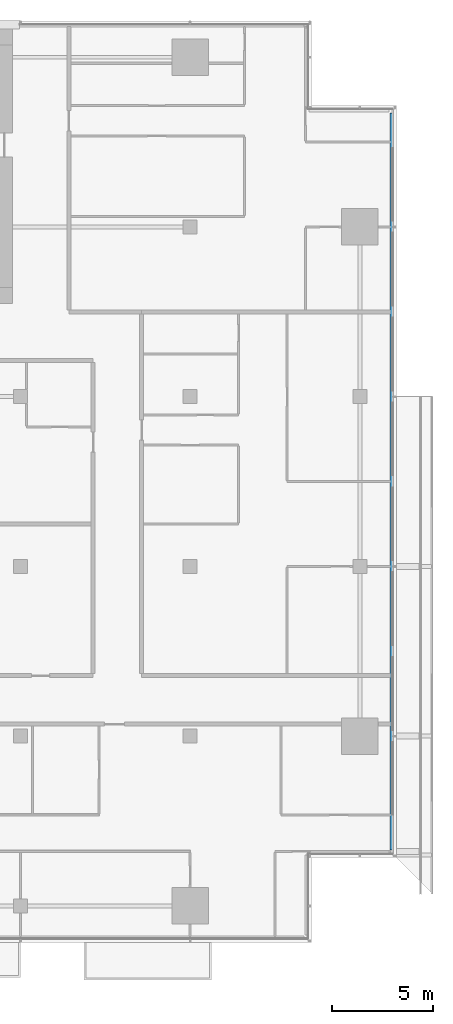
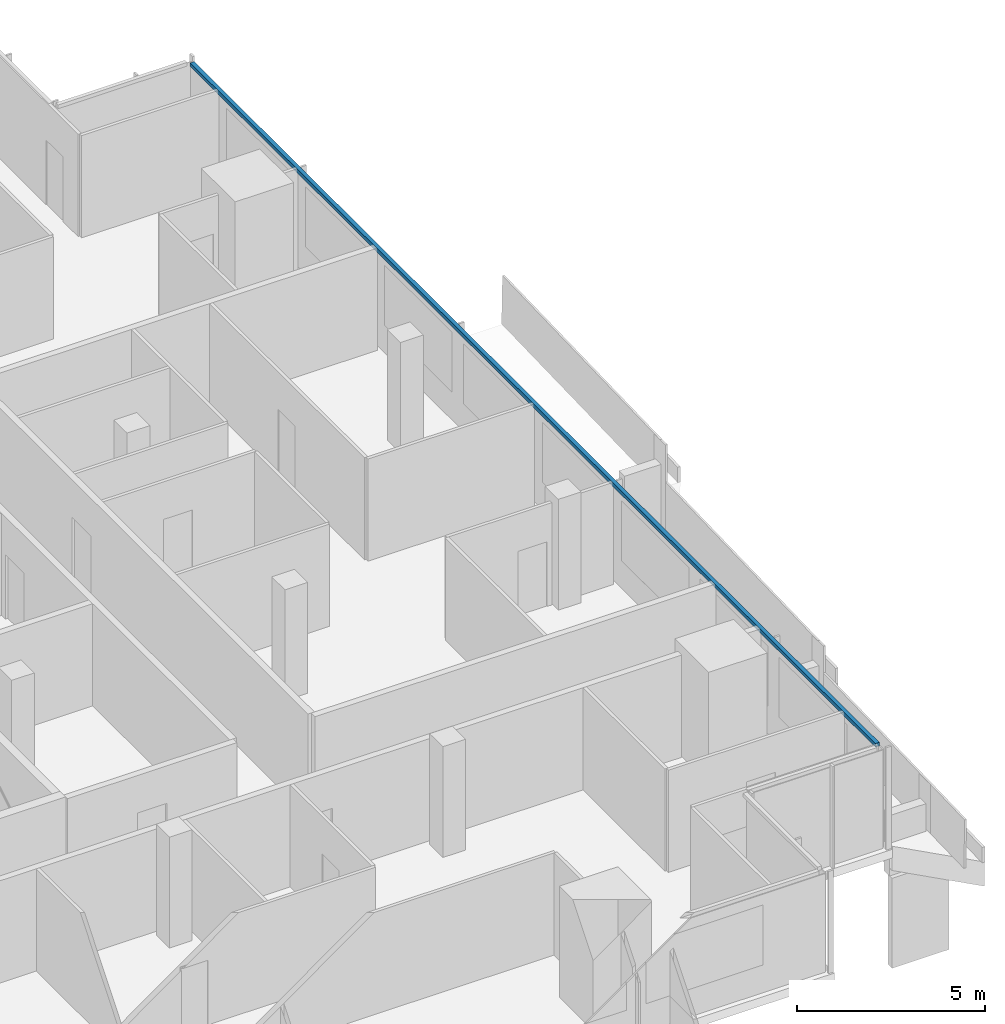
# One storey, part 13 of 29: 1 member, 1 element without a shape of its own.
"""IFC4 building model written with IfcOpenShell, lengths in metres."""

from ifc_helpers import new_model, si_unit, direction, frame, origin, origin_2d, place, context, subcontext, project, spatial, rectangle, extrude, material, material_profile, profile_set, type_object, element, aggregate, save


model = new_model("IFC4")

# Units and contexts
model_context = context("Model", 3, precision=1e-05, world=origin(), true_north=direction((0.0, 1.0)))
body_context = subcontext(model_context, "Body", "Model", "MODEL_VIEW")
ifc_project = project(units=[si_unit("LENGTHUNIT", "METRE"), si_unit("AREAUNIT", "SQUARE_METRE"), si_unit("VOLUMEUNIT", "CUBIC_METRE"), si_unit("PLANEANGLEUNIT", "RADIAN"), si_unit("MASSUNIT", "GRAM", prefix="KILO")], contexts=[model_context])

# Site, building, storey
site_placement = place(None, origin())
site = spatial("IfcSite", under=ifc_project, at=site_placement, CompositionType="ELEMENT")
building_placement = place(site_placement, origin())
building = spatial("IfcBuilding", under=site, at=building_placement, Name="Saffron Gate Tower", CompositionType="ELEMENT")
storey_placement = place(building_placement, frame((0.0, 0.0, 161.85009765625)))
storey = spatial("IfcBuildingStorey", under=building, at=storey_placement, Name="L39", CompositionType="ELEMENT", Elevation=161.85009765625)

# Curtain wall, member
ifc_material = material(Name="Aluminium, bronze anodised", Category="aluminium")
curtain_wall_type = type_object("IfcCurtainWallType", Name="CWS2 curtain wall side facades", PredefinedType="NOTDEFINED", material=ifc_material)
curtain_wall_placement = place(storey_placement, origin())
curtain_wall = element("IfcCurtainWall", 1, at=curtain_wall_placement, inside=storey, type_object=curtain_wall_type, Name="CWS2 run 4", PredefinedType="NOTDEFINED")
ifc_material_profile = material_profile(ifc_material, rectangle(XDim=0.1201171875, YDim=0.1201171875, at=origin_2d()))
ifc_profile_set = profile_set([ifc_material_profile], Name="Aluminium, bronze anodised")
member_type = type_object("IfcMemberType", Name="CWS2 head transom", PredefinedType="USERDEFINED", material=ifc_profile_set)
member_placement = place(storey_placement, frame((126.951904296875, 34.568115234375, 3.260009765625), z_axis=(0.0, 1.0, 0.0), x_axis=(-1.0, 0.0, 0.0)))
member = element("IfcMember", 2, at=member_placement, type_object=member_type, Name="CWS2 head transom", ObjectType="TRANSOM", PredefinedType="USERDEFINED", context=body_context, shape_type="SweptSolid", body=[
    extrude(rectangle(XDim=0.1201171875, YDim=0.1201171875, at=origin_2d()), origin(), (0.0, 0.0, 1.0), 36.4638671875),
])
aggregate(curtain_wall, [member])

save(model, "model.ifc")
